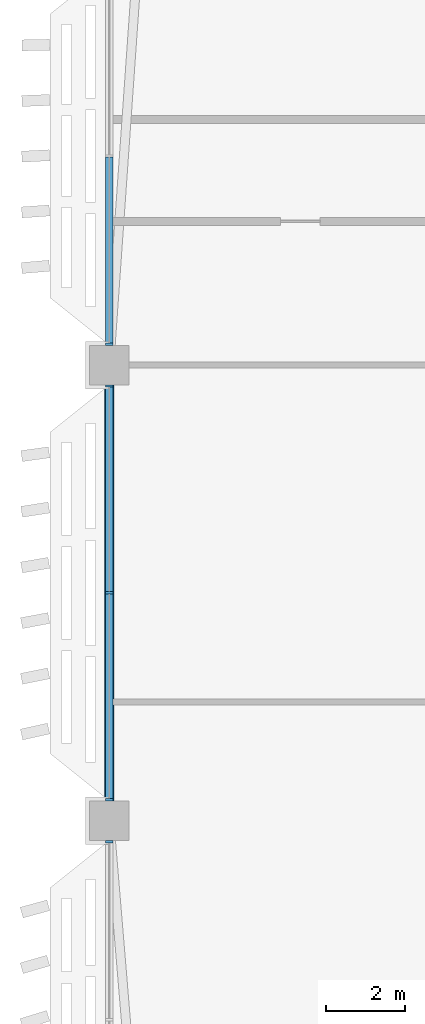
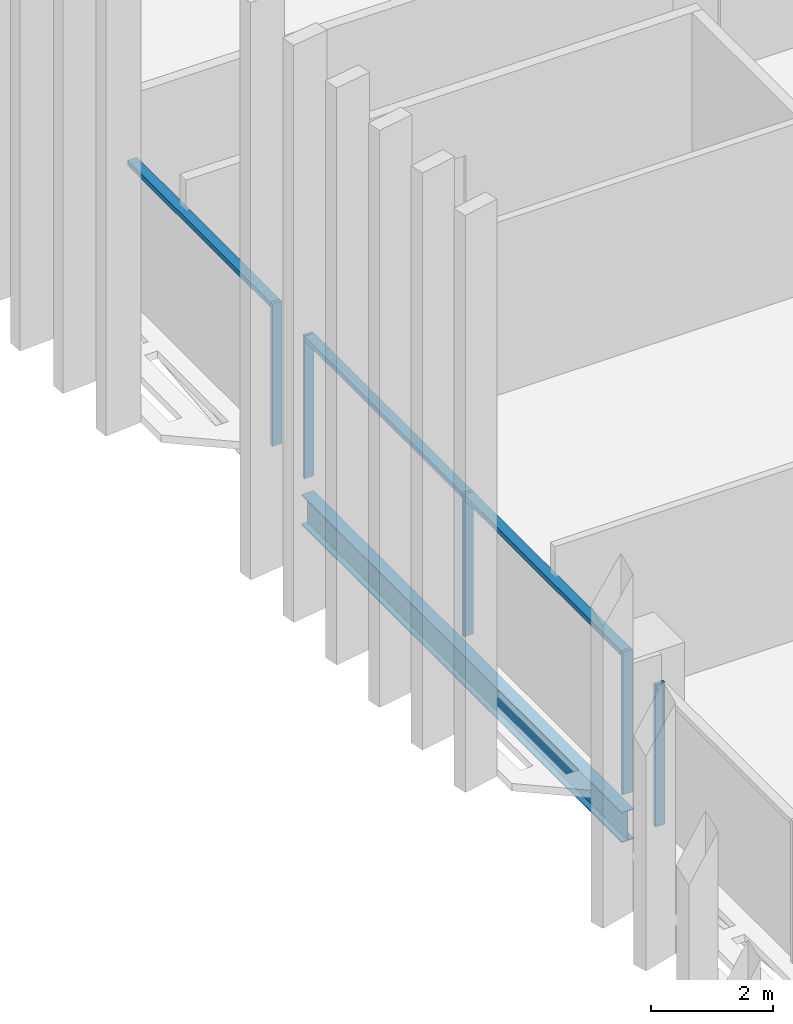
# One storey, part 7 of 32: 8 members, 1 beam, 3 elements without a shape of their own.
"""IFC4 building model written with IfcOpenShell, lengths in metres."""

import ifcopenshell
import ifcopenshell.guid

model = None  # the IFC model being written
_history = None  # IfcOwnerHistory: only IFC2X3 demands one
_inside = {}  # id of a spatial element -> (the spatial element, [elements in it])
_under = {}  # id of a project, library or spatial element -> (it, [spatial elements below it])
_declared = {}  # id of a project -> (the project, [libraries it declares])
_typed = {}  # id of a type object -> (the type object, [elements of that type])
_made_of = {}  # id of a material, layer set ... -> (it, [elements and type objects made of it])


def new_model(schema):
    """Start an empty IFC model of exactly this schema.

    Asked for "IFC4X3", IfcOpenShell would pick the latest addendum, in which some entities
    have other attributes; the version numbers below select the first issue.
    IFC2X3 requires an IfcOwnerHistory on every rooted entity: one is made here for all.
    """
    global model, _history
    if schema == "IFC4X3":
        model = ifcopenshell.file(schema_version=(4, 3, 0, 0))
    else:
        model = ifcopenshell.file(schema=schema)
    _inside.clear()
    _under.clear()
    _declared.clear()
    _typed.clear()
    _made_of.clear()
    _history = None
    if model.schema == "IFC2X3":
        org = make("IfcOrganization", Name="unknown")
        user = make(
            "IfcPersonAndOrganization",
            ThePerson=make("IfcPerson", FamilyName="unknown"),
            TheOrganization=org,
        )
        app = make(
            "IfcApplication",
            ApplicationDeveloper=org,
            Version="unknown",
            ApplicationFullName="unknown",
            ApplicationIdentifier="unknown",
        )
        _history = make(
            "IfcOwnerHistory",
            OwningUser=user,
            OwningApplication=app,
            ChangeAction="ADDED",
            CreationDate=0,
        )
    return model


def make(cls, **values):
    """One entity of the class cls with the attributes given. An attribute that is None is left unset."""
    return model.create_entity(
        cls, **{name: value for name, value in values.items() if value is not None}
    )


def rooted(cls, **values):
    """An entity with a GlobalId (a new one), such as an element, a storey or a relation."""
    return make(cls, GlobalId=ifcopenshell.guid.new(), OwnerHistory=_history, **values)


def si_unit(unit_type, name, prefix=None):
    """IfcSIUnit, for example si_unit("LENGTHUNIT", "METRE", prefix="MILLI")."""
    return make("IfcSIUnit", UnitType=unit_type, Prefix=prefix, Name=name)


def assignment(units):
    """IfcUnitAssignment: the units of a project."""
    return None if units is None else make("IfcUnitAssignment", Units=units)


def point(xyz):
    """IfcCartesianPoint."""
    return None if xyz is None else make("IfcCartesianPoint", Coordinates=xyz)


def direction(xyz):
    """IfcDirection."""
    return None if xyz is None else make("IfcDirection", DirectionRatios=xyz)


def frame(location, z_axis=None, x_axis=None):
    """IfcAxis2Placement3D, a coordinate frame: its origin and axes. An axis left out is left unset."""
    return make(
        "IfcAxis2Placement3D",
        Location=point(location),
        Axis=direction(z_axis),
        RefDirection=direction(x_axis),
    )


def frame_2d(location, x_axis=None):
    """IfcAxis2Placement2D, a coordinate frame in the plane: its origin and x axis."""
    return make(
        "IfcAxis2Placement2D", Location=point(location), RefDirection=direction(x_axis)
    )


def origin():
    """The frame at (0, 0, 0) with its axes left unset."""
    return frame((0.0, 0.0, 0.0))


def origin_2d():
    """The frame at (0, 0) in the plane with its x axis left unset."""
    return frame_2d((0.0, 0.0))


def place(relative_to, where):
    """IfcLocalPlacement: puts the frame where relative to a parent placement (None: the world)."""
    return make(
        "IfcLocalPlacement", PlacementRelTo=relative_to, RelativePlacement=where
    )


def context(
    kind, dimensions, precision=None, world=None, true_north=None, identifier=None
):
    """IfcGeometricRepresentationContext, for example the 3D "Model" context."""
    return make(
        "IfcGeometricRepresentationContext",
        ContextIdentifier=identifier,
        ContextType=kind,
        CoordinateSpaceDimension=dimensions,
        Precision=precision,
        WorldCoordinateSystem=world,
        TrueNorth=true_north,
    )


def subcontext(parent, identifier, kind, view, scale=None):
    """IfcGeometricRepresentationSubContext, for example "Body" below "Model"."""
    return make(
        "IfcGeometricRepresentationSubContext",
        ContextIdentifier=identifier,
        ContextType=kind,
        ParentContext=parent,
        TargetScale=scale,
        TargetView=view,
    )


def project(units=None, contexts=None):
    """IfcProject with its units and contexts."""
    return rooted(
        "IfcProject",
        Name="project",
        RepresentationContexts=contexts,
        UnitsInContext=assignment(units),
    )


def spatial(cls, under=None, at=None, **own):
    """A site, building, storey or space (cls), placed at a placement, below another one or the project."""
    s = rooted(cls, ObjectPlacement=at, **own)
    if under is not None:
        _under.setdefault(under.id(), (under, []))[1].append(s)
    return s


def profile(cls, at=None, kind="AREA", **sizes):
    """A parametric profile (cls). Its sizes go by their IFC names, for example OverallWidth=200.0."""
    return make(cls, ProfileType=kind, Position=at, **sizes)


def rectangle(**sizes):
    """IfcRectangleProfileDef."""
    return profile("IfcRectangleProfileDef", **sizes)


def i_section(**sizes):
    """IfcIShapeProfileDef."""
    return profile("IfcIShapeProfileDef", **sizes)


def extrude(swept, where, along, depth):
    """IfcExtrudedAreaSolid: the profile swept, set in the frame where, extruded along a direction by depth."""
    return make(
        "IfcExtrudedAreaSolid",
        SweptArea=swept,
        Position=where,
        ExtrudedDirection=direction(along),
        Depth=depth,
    )


def shape(context_of_items, identifier, shape_type, items):
    """IfcShapeRepresentation: the items that make up one representation, for example the "Body"."""
    return make(
        "IfcShapeRepresentation",
        ContextOfItems=context_of_items,
        RepresentationIdentifier=identifier,
        RepresentationType=shape_type,
        Items=items,
    )


def material(Name=None, Category=None):
    """IfcMaterial."""
    return make("IfcMaterial", Name=Name, Category=Category)


def material_profile(
    of_material, cross_section, Name=None, Category=None, Priority=None
):
    """IfcMaterialProfile: a cross section and its material."""
    return make(
        "IfcMaterialProfile",
        Name=Name,
        Material=of_material,
        Profile=cross_section,
        Priority=Priority,
        Category=Category,
    )


def profile_set(profiles, Name=None, composite=None):
    """IfcMaterialProfileSet."""
    return make(
        "IfcMaterialProfileSet",
        Name=Name,
        MaterialProfiles=profiles,
        CompositeProfile=composite,
    )


def made_of(thing, what):
    """Note that an element or type object is made of a material, layer set ...; save() writes the relation."""
    if what is not None:
        _made_of.setdefault(what.id(), (what, []))[1].append(thing)
    return thing


def type_object(cls, material=None, **own):
    """A type object (cls), such as IfcWallType, which elements share."""
    return made_of(rooted(cls, **own), material)


def element(
    cls,
    number,
    at=None,
    inside=None,
    cuts=None,
    type_object=None,
    material=None,
    context=None,
    identifier="Body",
    shape_type=None,
    held_by="IfcProductDefinitionShape",
    body=None,
    shapes=None,
    **own,
):
    """One element of the class cls, such as IfcWall. Its Tag is "e" and its number.

    at: its placement. inside: the storey or other place that contains it. cuts: it is an
    opening in that element (IfcRelVoidsElement). A single representation is given by context,
    identifier, shape_type and body (its items); several are given by shapes. held_by: the class
    of the entity that holds the representations. save() writes the other relations.
    """
    e = rooted(cls, Tag="e%d" % number, ObjectPlacement=at, **own)
    if body is not None:
        shapes = [shape(context, identifier, shape_type, body)]
    if shapes is not None:
        e.Representation = make(held_by, Representations=shapes)
    if inside is not None:
        _inside.setdefault(inside.id(), (inside, []))[1].append(e)
    if cuts is not None:
        rooted(
            "IfcRelVoidsElement", RelatingBuildingElement=cuts, RelatedOpeningElement=e
        )
    if type_object is not None:
        _typed.setdefault(type_object.id(), (type_object, []))[1].append(e)
    return made_of(e, material)


def aggregate(whole, parts):
    """IfcRelAggregates: a whole, such as a stair, and the parts it consists of."""
    return rooted("IfcRelAggregates", RelatingObject=whole, RelatedObjects=parts)


def save(model, path):
    """Write the relations noted so far, then the file.

    IfcRelAggregates (storeys below a building ...), IfcRelContainedInSpatialStructure (elements
    in a storey), IfcRelDefinesByType, IfcRelAssociatesMaterial and IfcRelDeclares: one each for
    every whole, place, type object, material and project.
    """
    for whole, parts in _under.values():
        aggregate(whole, parts)
    for where, things in _inside.values():
        rooted(
            "IfcRelContainedInSpatialStructure",
            RelatedElements=things,
            RelatingStructure=where,
        )
    for kind, things in _typed.values():
        rooted("IfcRelDefinesByType", RelatedObjects=things, RelatingType=kind)
    for what, things in _made_of.values():
        rooted("IfcRelAssociatesMaterial", RelatedObjects=things, RelatingMaterial=what)
    for by, libraries in _declared.values():
        rooted("IfcRelDeclares", RelatingContext=by, RelatedDefinitions=libraries)
    model.write(path)


model = new_model("IFC4")

# Units and contexts
model_context = context("Model", 3, precision=1e-05, world=origin(), true_north=direction((0.0, 1.0)))
body_context = subcontext(model_context, "Body", "Model", "MODEL_VIEW")
ifc_project = project(units=[si_unit("LENGTHUNIT", "METRE"), si_unit("AREAUNIT", "SQUARE_METRE"), si_unit("VOLUMEUNIT", "CUBIC_METRE"), si_unit("PLANEANGLEUNIT", "RADIAN"), si_unit("MASSUNIT", "GRAM", prefix="KILO")], contexts=[model_context])

# Site, building, storey
site_placement = place(None, origin())
site = spatial("IfcSite", under=ifc_project, at=site_placement, CompositionType="ELEMENT")
building_placement = place(site_placement, origin())
building = spatial("IfcBuilding", under=site, at=building_placement, Name="Mahtab Terrace Research Tower", CompositionType="ELEMENT")
storey_placement = place(building_placement, frame((0.0, 0.0, 243.800048828125)))
storey = spatial("IfcBuildingStorey", under=building, at=storey_placement, Name="L59", CompositionType="ELEMENT", Elevation=243.800048828125)

# Curtain wall, member
ifc_material_1 = material(Name="Office ribbon curtain wall")
curtain_wall_type = type_object("IfcCurtainWallType", Name="Office ribbon curtain wall", PredefinedType="NOTDEFINED", material=ifc_material_1)
curtain_wall_1_placement = place(storey_placement, origin())
curtain_wall_1 = element("IfcCurtainWall", 1, at=curtain_wall_1_placement, inside=storey, type_object=curtain_wall_type, Name="EN.L59.8.8", PredefinedType="NOTDEFINED")
ifc_material_2 = material(Name="Natural anodised aluminium", Category="aluminium")
ifc_material_profile_1 = material_profile(ifc_material_2, rectangle(XDim=0.179931640625, YDim=0.06005859375, at=origin_2d()), Name="MULLION 60x180")
ifc_profile_set_1 = profile_set([ifc_material_profile_1], Name="Natural anodised aluminium")
member_type_1 = type_object("IfcMemberType", Name="Office ribbon curtain wall mullion", PredefinedType="MULLION", material=ifc_profile_set_1)
member_1_placement = place(storey_placement, frame((-42.0, 12.030029296875, 0.0), z_axis=(0.0, 0.0, 1.0), x_axis=(1.0, 0.0, 0.0)))
member_1 = element("IfcMember", 2, at=member_1_placement, type_object=member_type_1, Name="CWO-7 mullion 3", PredefinedType="MULLION", context=body_context, shape_type="SweptSolid", body=[
    extrude(rectangle(XDim=0.179931640625, YDim=0.06005859375, at=origin_2d()), origin(), (0.0, 0.0, 1.0), 2.852783203125),
])

# Curtain wall, members
curtain_wall_2_placement = place(storey_placement, origin())
curtain_wall_2 = element("IfcCurtainWall", 3, at=curtain_wall_2_placement, inside=storey, type_object=curtain_wall_type, Name="EN.L59.8.9", PredefinedType="NOTDEFINED")
member_2_placement = place(storey_placement, frame((-42.0, 10.969970703125, 0.0), z_axis=(0.0, 0.0, 1.0), x_axis=(1.0, 0.0, 0.0)))
member_2 = element("IfcMember", 4, at=member_2_placement, type_object=member_type_1, Name="CWO-7 mullion 1", PredefinedType="MULLION", context=body_context, shape_type="SweptSolid", body=[
    extrude(rectangle(XDim=0.179931640625, YDim=0.06005859375, at=origin_2d()), origin(), (0.0, 0.0, 1.0), 2.852783203125),
])
member_3_placement = place(storey_placement, frame((-42.0, 5.75, 0.0), z_axis=(0.0, 0.0, 1.0), x_axis=(1.0, 0.0, 0.0)))
member_3 = element("IfcMember", 5, at=member_3_placement, type_object=member_type_1, Name="CWO-7 mullion 2", PredefinedType="MULLION", context=body_context, shape_type="SweptSolid", body=[
    extrude(rectangle(XDim=0.179931640625, YDim=0.06005859375, at=origin_2d()), origin(), (0.0, 0.0, 1.0), 2.852783203125),
])
member_4_placement = place(storey_placement, frame((-42.0, 0.530029296875, 0.0), z_axis=(0.0, 0.0, 1.0), x_axis=(1.0, 0.0, 0.0)))
member_4 = element("IfcMember", 6, at=member_4_placement, type_object=member_type_1, Name="CWO-7 mullion 3", PredefinedType="MULLION", context=body_context, shape_type="SweptSolid", body=[
    extrude(rectangle(XDim=0.179931640625, YDim=0.06005859375, at=origin_2d()), origin(), (0.0, 0.0, 1.0), 2.852783203125),
])

# Curtain wall, member
curtain_wall_3_placement = place(storey_placement, origin())
curtain_wall_3 = element("IfcCurtainWall", 7, at=curtain_wall_3_placement, inside=storey, type_object=curtain_wall_type, Name="EN.L59.8.10", PredefinedType="NOTDEFINED")
member_5_placement = place(storey_placement, frame((-42.0, -0.530029296875, 0.0), z_axis=(0.0, 0.0, 1.0), x_axis=(1.0, 0.0, 0.0)))
member_5 = element("IfcMember", 8, at=member_5_placement, type_object=member_type_1, Name="CWO-7 mullion 1", PredefinedType="MULLION", context=body_context, shape_type="SweptSolid", body=[
    extrude(rectangle(XDim=0.179931640625, YDim=0.06005859375, at=origin_2d()), origin(), (0.0, 0.0, 1.0), 2.852783203125),
])
aggregate(curtain_wall_3, [member_5])

# Member
ifc_material_profile_2 = material_profile(ifc_material_2, rectangle(XDim=0.179931640625, YDim=0.10009765625, at=origin_2d()), Name="TRANSOM 100x180")
ifc_profile_set_2 = profile_set([ifc_material_profile_2], Name="Natural anodised aluminium")
member_type_2 = type_object("IfcMemberType", Name="Office ribbon curtain wall transom", PredefinedType="USERDEFINED", material=ifc_profile_set_2)
member_6_placement = place(storey_placement, frame((-42.0, 16.748046875, 2.802734375), z_axis=(0.0, -1.0, 0.0), x_axis=(1.0, 0.0, 0.0)))
member_6 = element("IfcMember", 9, at=member_6_placement, type_object=member_type_2, Name="CWO-7 transom 2", ObjectType="TRANSOM", PredefinedType="USERDEFINED", context=body_context, shape_type="SweptSolid", body=[
    extrude(rectangle(XDim=0.179931640625, YDim=0.10009765625, at=origin_2d()), origin(), (0.0, 0.0, 1.0), 4.68798828125),
])

aggregate(curtain_wall_1, [member_1, member_6])

member_7_placement = place(storey_placement, frame((-42.0, 10.93994140625, 2.802734375), z_axis=(0.0, -1.0, 0.0), x_axis=(1.0, 0.0, 0.0)))
member_7 = element("IfcMember", 10, at=member_7_placement, type_object=member_type_2, Name="CWO-7 transom 1", ObjectType="TRANSOM", PredefinedType="USERDEFINED", context=body_context, shape_type="SweptSolid", body=[
    extrude(rectangle(XDim=0.179931640625, YDim=0.10009765625, at=origin_2d()), origin(), (0.0, 0.0, 1.0), 5.159912109375),
])

member_8_placement = place(storey_placement, frame((-42.0, 5.719970703125, 2.802734375), z_axis=(0.0, -1.0, 0.0), x_axis=(1.0, 0.0, 0.0)))
member_8 = element("IfcMember", 11, at=member_8_placement, type_object=member_type_2, Name="CWO-7 transom 2", ObjectType="TRANSOM", PredefinedType="USERDEFINED", context=body_context, shape_type="SweptSolid", body=[
    extrude(rectangle(XDim=0.179931640625, YDim=0.10009765625, at=origin_2d()), origin(), (0.0, 0.0, 1.0), 5.159912109375),
])

aggregate(curtain_wall_2, [member_2, member_3, member_4, member_7, member_8])

# Beam
ifc_material_3 = material(Name="Steel ASTM A992 Gr 50", Category="steel")
ifc_material_profile_3 = material_profile(ifc_material_3, i_section(OverallWidth=0.228271484375, OverallDepth=0.607177734375, WebThickness=0.01123046875, FlangeThickness=0.017333984375, at=origin_2d()), Name="W24X76")
ifc_profile_set_3 = profile_set([ifc_material_profile_3], Name="Steel ASTM A992 Gr 50")
beam_type = type_object("IfcBeamType", Name="W24x76 beam BS2476", PredefinedType="BEAM", material=ifc_profile_set_3)
beam_placement = place(storey_placement, frame((-42.0, 11.0, -0.6435546875), z_axis=(0.0, -1.0, 0.0), x_axis=(1.0, 0.0, 0.0)))
element("IfcBeam", 12, at=beam_placement, inside=storey, type_object=beam_type, Name="Spandrel beam L59 10", PredefinedType="BEAM", context=body_context, shape_type="SweptSolid", body=[
    extrude(i_section(OverallWidth=0.228271484375, OverallDepth=0.607177734375, WebThickness=0.01123046875, FlangeThickness=0.017333984375, at=origin_2d()), origin(), (0.0, 0.0, 1.0), 10.5),
])

save(model, "model.ifc")
